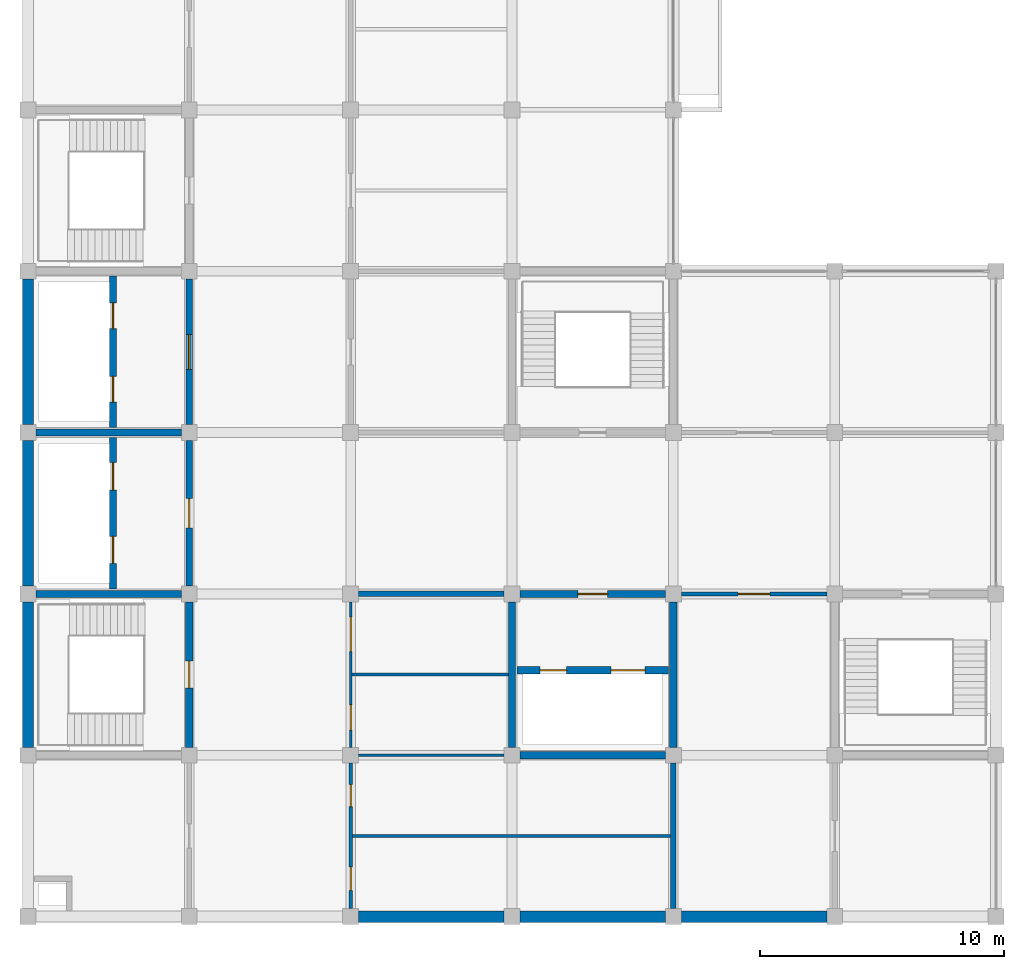
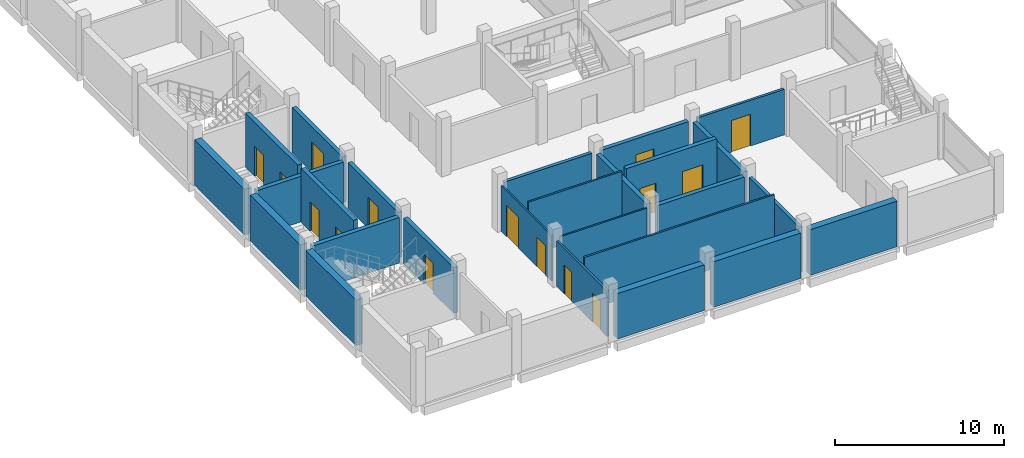
# One storey, part 7 of 11: 26 walls, 15 doors, 15 openings.
"""IFC4 building model written with IfcOpenShell, lengths in metres."""

from ifc_helpers import new_model, si_unit, direction, frame, frame_2d, origin, place, context, subcontext, project, spatial, rectangle, extrude, material, layer, layer_set, type_object, element, fill, save


model = new_model("IFC4")

# Units and contexts
model_context = context("Model", 3, precision=1e-05, world=origin(), true_north=direction((0.0, 1.0)))
body_context = subcontext(model_context, "Body", "Model", "MODEL_VIEW")
ifc_project = project(units=[si_unit("LENGTHUNIT", "METRE"), si_unit("AREAUNIT", "SQUARE_METRE"), si_unit("VOLUMEUNIT", "CUBIC_METRE"), si_unit("PLANEANGLEUNIT", "RADIAN"), si_unit("MASSUNIT", "GRAM", prefix="KILO")], contexts=[model_context])

# Site, building, storey
site_placement = place(None, origin())
site = spatial("IfcSite", under=ifc_project, at=site_placement, CompositionType="ELEMENT")
building_placement = place(site_placement, origin())
building = spatial("IfcBuilding", under=site, at=building_placement, Name="Rusizi Kubbe Research Institute", CompositionType="ELEMENT")
storey_placement = place(building_placement, frame((0.0, 0.0, 56.39990234375)))
storey = spatial("IfcBuildingStorey", under=building, at=storey_placement, Name="L13", CompositionType="ELEMENT", Elevation=56.39990234375)

# Wall
ifc_material_1 = material(Name="Concrete C40/50", Category="concrete")
ifc_layer_1 = layer(ifc_material_1, 0.294921875)
ifc_layer_set_1 = layer_set([ifc_layer_1], Name="Concrete C40/50")
wall_type_1 = type_object("IfcWallType", Name="CRW-03", PredefinedType="SHEAR", material=ifc_layer_set_1)
wall_1_placement = place(storey_placement, frame((0.324951171875, 13.199951171875, 0.0), z_axis=(0.0, 0.0, 1.0), x_axis=(1.0, 0.0, 0.0)))
element("IfcWall", 1, at=wall_1_placement, inside=storey, type_object=wall_type_1, Name="Stair Core Shear Wall ST1 L13 N", PredefinedType="SHEAR", context=body_context, shape_type="SweptSolid", body=[
    extrude(rectangle(XDim=5.949951171875, YDim=0.294921875, at=frame_2d((2.97509765625, 0.0))), origin(), (0.0, 0.0, 1.0), 3.300048828125),
])

# Wall, opening, door
wall_2_placement = place(storey_placement, frame((6.60009765625, 6.925048828125, 0.0), z_axis=(0.0, 0.0, 1.0), x_axis=(0.0, 1.0, 0.0)))
wall_2 = element("IfcWall", 2, at=wall_2_placement, inside=storey, type_object=wall_type_1, Name="Stair Core Shear Wall ST1 L13 E", PredefinedType="SHEAR", context=body_context, shape_type="SweptSolid", body=[
    extrude(rectangle(XDim=5.949951171875, YDim=0.294921875, at=frame_2d((2.97509765625, 0.0))), origin(), (0.0, 0.0, 1.0), 3.300048828125),
])
opening_1_placement = place(wall_2_placement, frame((2.425048828125, 0.0, 0.0)))
opening_1 = element("IfcOpeningElement", 3, at=opening_1_placement, cuts=wall_2, Name="Opening D-01", PredefinedType="OPENING", context=body_context, shape_type="SweptSolid", body=[
    extrude(rectangle(XDim=1.10009765625, YDim=2.14990234375, at=frame_2d((0.550048828125, 1.074951171875))), frame((0.0, 0.157470703125, 0.0), z_axis=(0.0, -1.0, 0.0), x_axis=(1.0, 0.0, 0.0)), (0.0, 0.0, 1.0), 0.31494140625),
])
ifc_material_2 = material(Name="Fire-Rated Steel Frame and Acoustic Timber Leaf", Category="wood")
door_type_1 = type_object("IfcDoorType", Name="ID-STAIR-110", OperationType="NOTDEFINED", PredefinedType="DOOR", material=ifc_material_2)
door_1_placement = place(opening_1_placement, origin())
door_1 = element("IfcDoor", 4, at=door_1_placement, inside=storey, type_object=door_type_1, Name="Exit Stair Door ST1 L13", OperationType="SINGLE_SWING_LEFT", OverallHeight=2.14990234375, OverallWidth=1.10009765625, PredefinedType="DOOR", context=body_context, shape_type="SweptSolid", body=[
    extrude(rectangle(XDim=1.10009765625, YDim=2.14990234375, at=frame_2d((0.550048828125, 1.074951171875))), frame((0.0, 0.02490234375, 0.0), z_axis=(0.0, -1.0, 0.0), x_axis=(1.0, 0.0, 0.0)), (0.0, 0.0, 1.0), 0.050048828125),
])
fill(opening_1, door_1)

# Walls
for number, where, z_axis, x_axis, name in (
    (5, (0.324951171875, 19.800048828125, 0.0), (0.0, 0.0, 1.0), (1.0, 0.0, 0.0), "Lift Core Divider Wall (0,2-3) L13"),
    (6, (20.125, 6.60009765625, 0.0), (0.0, 0.0, 1.0), (1.0, 0.0, 0.0), "Lab Lift Core Wall S (3,1) L13"),
    (7, (19.800048828125, 6.925048828125, 0.0), (0.0, 0.0, 1.0), (0.0, 1.0, 0.0), "Lab Lift Core Wall W (3,1) L13"),
    (8, (26.39990234375, 6.925048828125, 0.0), (0.0, 0.0, 1.0), (0.0, 1.0, 0.0), "Lab Lift Core Wall E (3,1) L13"),
):
    element("IfcWall", number, at=place(storey_placement, frame(where, z_axis=z_axis, x_axis=x_axis)), inside=storey, type_object=wall_type_1, Name=name, PredefinedType="SHEAR", context=body_context, shape_type="SweptSolid", body=[
        extrude(rectangle(XDim=5.949951171875, YDim=0.294921875, at=frame_2d((2.97509765625, 0.0))), origin(), (0.0, 0.0, 1.0), 3.300048828125),
    ])

# Wall, openings, doors
wall_3_placement = place(storey_placement, frame((3.47998046875, 13.39990234375, 0.0), z_axis=(0.0, 0.0, 1.0), x_axis=(0.0, 1.0, 0.0)))
wall_3 = element("IfcWall", 9, at=wall_3_placement, inside=storey, type_object=wall_type_1, Name="Firefighting Lift Shaft Front Wall L13", PredefinedType="SHEAR", context=body_context, shape_type="SweptSolid", body=[
    extrude(rectangle(XDim=6.2001953125, YDim=0.294921875, at=frame_2d((3.10009765625, 0.0))), origin(), (0.0, 0.0, 1.0), 3.900146484375),
])
opening_2_placement = place(wall_3_placement, frame((1.050048828125, 0.0, 0.0)))
opening_2 = element("IfcOpeningElement", 10, at=opening_2_placement, cuts=wall_3, Name="Opening LD-01", PredefinedType="OPENING", context=body_context, shape_type="SweptSolid", body=[
    extrude(rectangle(XDim=1.10009765625, YDim=2.14990234375, at=frame_2d((0.550048828125, 1.074951171875))), frame((0.0, 0.157470703125, 0.0), z_axis=(0.0, -1.0, 0.0), x_axis=(1.0, 0.0, 0.0)), (0.0, 0.0, 1.0), 0.31494140625),
])
opening_3_placement = place(wall_3_placement, frame((4.050048828125, 0.0, 0.0)))
opening_3 = element("IfcOpeningElement", 11, at=opening_3_placement, cuts=wall_3, Name="Opening LD-02", PredefinedType="OPENING", context=body_context, shape_type="SweptSolid", body=[
    extrude(rectangle(XDim=1.1201171875, YDim=2.14990234375, at=frame_2d((0.56005859375, 1.074951171875))), frame((0.0, 0.157470703125, 0.0), z_axis=(0.0, -1.0, 0.0), x_axis=(1.0, 0.0, 0.0)), (0.0, 0.0, 1.0), 0.31494140625),
])
ifc_material_3 = material(Name="Brushed Stainless Steel Sliding Door", Category="steel")
door_type_2 = type_object("IfcDoorType", Name="LD-01", OperationType="DOUBLE_DOOR_SLIDING", PredefinedType="USERDEFINED", material=ifc_material_3)
door_2_placement = place(opening_2_placement, origin())
door_2 = element("IfcDoor", 12, at=door_2_placement, inside=storey, type_object=door_type_2, Name="Lift Landing Sliding Door FL1 L13", ObjectType="SLIDING DOOR", OperationType="DOUBLE_DOOR_SLIDING", OverallHeight=2.14990234375, OverallWidth=1.10009765625, PredefinedType="USERDEFINED", context=body_context, shape_type="SweptSolid", body=[
    extrude(rectangle(XDim=1.10009765625, YDim=2.14990234375, at=frame_2d((0.550048828125, 1.074951171875))), frame((0.0, 0.02490234375, 0.0), z_axis=(0.0, -1.0, 0.0), x_axis=(1.0, 0.0, 0.0)), (0.0, 0.0, 1.0), 0.050048828125),
])
fill(opening_2, door_2)
ifc_material_4 = material(Name="Brushed Stainless Steel Sliding Door", Category="steel")
door_type_3 = type_object("IfcDoorType", Name="LD-02", OperationType="DOUBLE_DOOR_SLIDING", PredefinedType="USERDEFINED", material=ifc_material_4)
door_3_placement = place(opening_3_placement, origin())
door_3 = element("IfcDoor", 13, at=door_3_placement, inside=storey, type_object=door_type_3, Name="Lift Landing Sliding Door FL2 L13", ObjectType="SLIDING DOOR", OperationType="DOUBLE_DOOR_SLIDING", OverallHeight=2.14990234375, OverallWidth=1.1201171875, PredefinedType="USERDEFINED", context=body_context, shape_type="SweptSolid", body=[
    extrude(rectangle(XDim=1.1201171875, YDim=2.14990234375, at=frame_2d((0.56005859375, 1.074951171875))), frame((0.0, 0.02490234375, 0.0), z_axis=(0.0, -1.0, 0.0), x_axis=(1.0, 0.0, 0.0)), (0.0, 0.0, 1.0), 0.050048828125),
])
fill(opening_3, door_3)

wall_4_placement = place(storey_placement, frame((3.47998046875, 20.0, 0.0), z_axis=(0.0, 0.0, 1.0), x_axis=(0.0, 1.0, 0.0)))
wall_4 = element("IfcWall", 14, at=wall_4_placement, inside=storey, type_object=wall_type_1, Name="Passenger Lift Shaft Front Wall L13", PredefinedType="SHEAR", context=body_context, shape_type="SweptSolid", body=[
    extrude(rectangle(XDim=6.199951171875, YDim=0.294921875, at=frame_2d((3.10009765625, 0.0))), origin(), (0.0, 0.0, 1.0), 3.900146484375),
])
opening_4_placement = place(wall_4_placement, frame((1.050048828125, 0.0, 0.0)))
opening_4 = element("IfcOpeningElement", 15, at=opening_4_placement, cuts=wall_4, Name="Opening LD-03", PredefinedType="OPENING", context=body_context, shape_type="SweptSolid", body=[
    extrude(rectangle(XDim=1.050048828125, YDim=2.14990234375, at=frame_2d((0.52490234375, 1.074951171875))), frame((0.0, 0.157470703125, 0.0), z_axis=(0.0, -1.0, 0.0), x_axis=(1.0, 0.0, 0.0)), (0.0, 0.0, 1.0), 0.31494140625),
])
opening_5_placement = place(wall_4_placement, frame((4.050048828125, 0.0, 0.0)))
opening_5 = element("IfcOpeningElement", 16, at=opening_5_placement, cuts=wall_4, Name="Opening LD-04", PredefinedType="OPENING", context=body_context, shape_type="SweptSolid", body=[
    extrude(rectangle(XDim=1.06005859375, YDim=2.14990234375, at=frame_2d((0.530029296875, 1.074951171875))), frame((0.0, 0.157470703125, 0.0), z_axis=(0.0, -1.0, 0.0), x_axis=(1.0, 0.0, 0.0)), (0.0, 0.0, 1.0), 0.31494140625),
])
ifc_material_5 = material(Name="Brushed Stainless Steel Sliding Door", Category="steel")
door_type_4 = type_object("IfcDoorType", Name="LD-03", OperationType="DOUBLE_DOOR_SLIDING", PredefinedType="USERDEFINED", material=ifc_material_5)
door_4_placement = place(opening_4_placement, origin())
door_4 = element("IfcDoor", 17, at=door_4_placement, inside=storey, type_object=door_type_4, Name="Lift Landing Sliding Door LP1 L13", ObjectType="SLIDING DOOR", OperationType="DOUBLE_DOOR_SLIDING", OverallHeight=2.14990234375, OverallWidth=1.050048828125, PredefinedType="USERDEFINED", context=body_context, shape_type="SweptSolid", body=[
    extrude(rectangle(XDim=1.050048828125, YDim=2.14990234375, at=frame_2d((0.52490234375, 1.074951171875))), frame((0.0, 0.02490234375, 0.0), z_axis=(0.0, -1.0, 0.0), x_axis=(1.0, 0.0, 0.0)), (0.0, 0.0, 1.0), 0.050048828125),
])
fill(opening_4, door_4)
ifc_material_6 = material(Name="Brushed Stainless Steel Sliding Door", Category="steel")
door_type_5 = type_object("IfcDoorType", Name="LD-04", OperationType="DOUBLE_DOOR_SLIDING", PredefinedType="USERDEFINED", material=ifc_material_6)
door_5_placement = place(opening_5_placement, origin())
door_5 = element("IfcDoor", 18, at=door_5_placement, inside=storey, type_object=door_type_5, Name="Lift Landing Sliding Door LP2 L13", ObjectType="SLIDING DOOR", OperationType="DOUBLE_DOOR_SLIDING", OverallHeight=2.14990234375, OverallWidth=1.06005859375, PredefinedType="USERDEFINED", context=body_context, shape_type="SweptSolid", body=[
    extrude(rectangle(XDim=1.06005859375, YDim=2.14990234375, at=frame_2d((0.530029296875, 1.074951171875))), frame((0.0, 0.02490234375, 0.0), z_axis=(0.0, -1.0, 0.0), x_axis=(1.0, 0.0, 0.0)), (0.0, 0.0, 1.0), 0.050048828125),
])
fill(opening_5, door_5)

wall_5_placement = place(storey_placement, frame((20.0, 10.080078125, 0.0), z_axis=(0.0, 0.0, 1.0), x_axis=(1.0, 0.0, 0.0)))
wall_5 = element("IfcWall", 19, at=wall_5_placement, inside=storey, type_object=wall_type_1, Name="Goods Lift Shaft Front Wall L13", PredefinedType="SHEAR", context=body_context, shape_type="SweptSolid", body=[
    extrude(rectangle(XDim=6.199951171875, YDim=0.294921875, at=frame_2d((3.10009765625, 0.0))), origin(), (0.0, 0.0, 1.0), 3.900146484375),
])
opening_6_placement = place(wall_5_placement, frame((0.949951171875, 0.0, 0.0)))
opening_6 = element("IfcOpeningElement", 20, at=opening_6_placement, cuts=wall_5, Name="Opening LD-05", PredefinedType="OPENING", context=body_context, shape_type="SweptSolid", body=[
    extrude(rectangle(XDim=1.080078125, YDim=2.14990234375, at=frame_2d((0.5400390625, 1.074951171875))), frame((0.0, 0.157470703125, 0.0), z_axis=(0.0, -1.0, 0.0), x_axis=(1.0, 0.0, 0.0)), (0.0, 0.0, 1.0), 0.31494140625),
])
opening_7_placement = place(wall_5_placement, frame((3.85009765625, 0.0, 0.0)))
opening_7 = element("IfcOpeningElement", 21, at=opening_7_placement, cuts=wall_5, Name="Opening LD-06", PredefinedType="OPENING", context=body_context, shape_type="SweptSolid", body=[
    extrude(rectangle(XDim=1.39990234375, YDim=2.35009765625, at=frame_2d((0.699951171875, 1.175048828125))), frame((0.0, 0.157470703125, 0.0), z_axis=(0.0, -1.0, 0.0), x_axis=(1.0, 0.0, 0.0)), (0.0, 0.0, 1.0), 0.31494140625),
])
ifc_material_7 = material(Name="Brushed Stainless Steel Sliding Door", Category="steel")
door_type_6 = type_object("IfcDoorType", Name="LD-05", OperationType="DOUBLE_DOOR_SLIDING", PredefinedType="USERDEFINED", material=ifc_material_7)
door_6_placement = place(opening_6_placement, origin())
door_6 = element("IfcDoor", 22, at=door_6_placement, inside=storey, type_object=door_type_6, Name="Lift Landing Sliding Door LP3 L13", ObjectType="SLIDING DOOR", OperationType="DOUBLE_DOOR_SLIDING", OverallHeight=2.14990234375, OverallWidth=1.080078125, PredefinedType="USERDEFINED", context=body_context, shape_type="SweptSolid", body=[
    extrude(rectangle(XDim=1.080078125, YDim=2.14990234375, at=frame_2d((0.5400390625, 1.074951171875))), frame((0.0, 0.02490234375, 0.0), z_axis=(0.0, -1.0, 0.0), x_axis=(1.0, 0.0, 0.0)), (0.0, 0.0, 1.0), 0.050048828125),
])
fill(opening_6, door_6)
ifc_material_8 = material(Name="Brushed Stainless Steel Sliding Door", Category="steel")
door_type_7 = type_object("IfcDoorType", Name="LD-06", OperationType="DOUBLE_DOOR_SLIDING", PredefinedType="USERDEFINED", material=ifc_material_8)
door_7_placement = place(opening_7_placement, origin())
door_7 = element("IfcDoor", 23, at=door_7_placement, inside=storey, type_object=door_type_7, Name="Lift Landing Sliding Door LG1 L13", ObjectType="SLIDING DOOR", OperationType="DOUBLE_DOOR_SLIDING", OverallHeight=2.35009765625, OverallWidth=1.39990234375, PredefinedType="USERDEFINED", context=body_context, shape_type="SweptSolid", body=[
    extrude(rectangle(XDim=1.39990234375, YDim=2.35009765625, at=frame_2d((0.699951171875, 1.175048828125))), frame((0.0, 0.02490234375, 0.0), z_axis=(0.0, -1.0, 0.0), x_axis=(1.0, 0.0, 0.0)), (0.0, 0.0, 1.0), 0.050048828125),
])
fill(opening_7, door_7)

# Walls
ifc_material_9 = material(Name="Concrete Blockwork Fire Partition", Category="masonry")
ifc_layer_2 = layer(ifc_material_9, 0.22509765625)
ifc_layer_set_2 = layer_set([ifc_layer_2], Name="Concrete Blockwork Fire Partition")
wall_type_2 = type_object("IfcWallType", Name="IW-01", PredefinedType="PARTITIONING", material=ifc_layer_set_2)
wall_6_placement = place(storey_placement, frame((26.39990234375, 0.324951171875, 0.0), z_axis=(0.0, 0.0, 1.0), x_axis=(0.0, 1.0, 0.0)))
element("IfcWall", 24, at=wall_6_placement, inside=storey, type_object=wall_type_2, Name="Sanitary Core East Enclosing Wall L13", PredefinedType="PARTITIONING", context=body_context, shape_type="SweptSolid", body=[
    extrude(rectangle(XDim=5.949951171875, YDim=0.22509765625, at=frame_2d((2.97509765625, 0.0))), origin(), (0.0, 0.0, 1.0), 3.300048828125),
])
wall_7_placement = place(storey_placement, frame((13.52490234375, 13.199951171875, 0.0), z_axis=(0.0, 0.0, 1.0), x_axis=(1.0, 0.0, 0.0)))
element("IfcWall", 25, at=wall_7_placement, inside=storey, type_object=wall_type_2, Name="Reagent Store North Corridor Wall L13", PredefinedType="PARTITIONING", context=body_context, shape_type="SweptSolid", body=[
    extrude(rectangle(XDim=5.9501953125, YDim=0.22509765625, at=frame_2d((2.97509765625, 0.0))), origin(), (0.0, 0.0, 1.0), 3.300048828125),
])

# Wall, opening, door
ifc_material_10 = material(Name="Acoustic Laboratory Partition", Category="masonry")
ifc_layer_3 = layer(ifc_material_10, 0.175048828125)
ifc_layer_set_3 = layer_set([ifc_layer_3], Name="Acoustic Laboratory Partition")
wall_type_3 = type_object("IfcWallType", Name="IW-03", PredefinedType="PARTITIONING", material=ifc_layer_set_3)
wall_8_placement = place(storey_placement, frame((26.72509765625, 13.199951171875, 0.0), z_axis=(0.0, 0.0, 1.0), x_axis=(1.0, 0.0, 0.0)))
wall_8 = element("IfcWall", 26, at=wall_8_placement, inside=storey, type_object=wall_type_3, Name="Interior Partition Wall L13 H4-2", PredefinedType="PARTITIONING", context=body_context, shape_type="SweptSolid", body=[
    extrude(rectangle(XDim=5.949951171875, YDim=0.175048828125, at=frame_2d((2.97509765625, 0.0))), origin(), (0.0, 0.0, 1.0), 3.300048828125),
])
opening_8_placement = place(wall_8_placement, frame((2.324951171875, 0.0, 0.0)))
opening_8 = element("IfcOpeningElement", 27, at=opening_8_placement, cuts=wall_8, Name="Opening D-14", PredefinedType="OPENING", context=body_context, shape_type="SweptSolid", body=[
    extrude(rectangle(XDim=1.300048828125, YDim=2.300048828125, at=frame_2d((0.64990234375, 1.14990234375))), frame((0.0, 0.097412109375, 0.0), z_axis=(0.0, -1.0, 0.0), x_axis=(1.0, 0.0, 0.0)), (0.0, 0.0, 1.0), 0.195068359375),
])
ifc_material_11 = material(Name="Fire-Rated Steel Frame and Acoustic Timber Leaf", Category="wood")
door_type_8 = type_object("IfcDoorType", Name="ID-LAB-130", OperationType="NOTDEFINED", PredefinedType="DOOR", material=ifc_material_11)
door_8_placement = place(opening_8_placement, origin())
door_8 = element("IfcDoor", 28, at=door_8_placement, inside=storey, type_object=door_type_8, Name="Door to Clean Room Process Suite (L13-EWS-01)", OperationType="SINGLE_SWING_RIGHT", OverallHeight=2.300048828125, OverallWidth=1.300048828125, PredefinedType="DOOR", context=body_context, shape_type="SweptSolid", body=[
    extrude(rectangle(XDim=1.300048828125, YDim=2.300048828125, at=frame_2d((0.64990234375, 1.14990234375))), frame((0.0, 0.02490234375, 0.0), z_axis=(0.0, -1.0, 0.0), x_axis=(1.0, 0.0, 0.0)), (0.0, 0.0, 1.0), 0.050048828125),
])
fill(opening_8, door_8)

# Wall, openings, doors
ifc_material_12 = material(Name="Write-up Glazed Acoustic Partition", Category="masonry")
ifc_layer_4 = layer(ifc_material_12, 0.139892578125)
ifc_layer_set_4 = layer_set([ifc_layer_4], Name="Write-up Glazed Acoustic Partition")
wall_type_4 = type_object("IfcWallType", Name="IW-05", PredefinedType="PARTITIONING", material=ifc_layer_set_4)
wall_9_placement = place(storey_placement, frame((13.199951171875, 0.324951171875, 0.0), z_axis=(0.0, 0.0, 1.0), x_axis=(0.0, 1.0, 0.0)))
wall_9 = element("IfcWall", 29, at=wall_9_placement, inside=storey, type_object=wall_type_4, Name="Sanitary Core West Corridor Wall L13", PredefinedType="PARTITIONING", context=body_context, shape_type="SweptSolid", body=[
    extrude(rectangle(XDim=5.949951171875, YDim=0.139892578125, at=frame_2d((2.97509765625, 0.0))), origin(), (0.0, 0.0, 1.0), 3.300048828125),
])
opening_9_placement = place(wall_9_placement, frame((0.75, 0.0, 0.0)))
opening_9 = element("IfcOpeningElement", 30, at=opening_9_placement, cuts=wall_9, Name="Opening D-06", PredefinedType="OPENING", context=body_context, shape_type="SweptSolid", body=[
    extrude(rectangle(XDim=0.949951171875, YDim=2.10009765625, at=frame_2d((0.47509765625, 1.050048828125))), frame((0.0, 0.079833984375, 0.0), z_axis=(0.0, -1.0, 0.0), x_axis=(1.0, 0.0, 0.0)), (0.0, 0.0, 1.0), 0.159912109375),
])
opening_10_placement = place(wall_9_placement, frame((4.175048828125, 0.0, 0.0)))
opening_10 = element("IfcOpeningElement", 31, at=opening_10_placement, cuts=wall_9, Name="Opening D-05", PredefinedType="OPENING", context=body_context, shape_type="SweptSolid", body=[
    extrude(rectangle(XDim=0.89990234375, YDim=2.10009765625, at=frame_2d((0.449951171875, 1.050048828125))), frame((0.0, 0.079833984375, 0.0), z_axis=(0.0, -1.0, 0.0), x_axis=(1.0, 0.0, 0.0)), (0.0, 0.0, 1.0), 0.159912109375),
])
ifc_material_13 = material(Name="Fire-Rated Steel Frame and Acoustic Timber Leaf", Category="wood")
door_type_9 = type_object("IfcDoorType", Name="ID-WC-900", OperationType="NOTDEFINED", PredefinedType="DOOR", material=ifc_material_13)
door_9_placement = place(opening_10_placement, origin())
door_9 = element("IfcDoor", 32, at=door_9_placement, inside=storey, type_object=door_type_9, Name="Door to Female Toilet Room (L13-WC-F)", OperationType="SINGLE_SWING_LEFT", OverallHeight=2.10009765625, OverallWidth=0.89990234375, PredefinedType="DOOR", context=body_context, shape_type="SweptSolid", body=[
    extrude(rectangle(XDim=0.89990234375, YDim=2.10009765625, at=frame_2d((0.449951171875, 1.050048828125))), frame((0.0, 0.02490234375, 0.0), z_axis=(0.0, -1.0, 0.0), x_axis=(1.0, 0.0, 0.0)), (0.0, 0.0, 1.0), 0.050048828125),
])
fill(opening_10, door_9)
ifc_material_14 = material(Name="Fire-Rated Steel Frame and Acoustic Timber Leaf", Category="wood")
door_type_10 = type_object("IfcDoorType", Name="ID-WC-950", OperationType="NOTDEFINED", PredefinedType="DOOR", material=ifc_material_14)
door_10_placement = place(opening_9_placement, origin())
door_10 = element("IfcDoor", 33, at=door_10_placement, inside=storey, type_object=door_type_10, Name="Door to Male Toilet Room (L13-WC-M)", OperationType="SINGLE_SWING_RIGHT", OverallHeight=2.10009765625, OverallWidth=0.949951171875, PredefinedType="DOOR", context=body_context, shape_type="SweptSolid", body=[
    extrude(rectangle(XDim=0.949951171875, YDim=2.10009765625, at=frame_2d((0.47509765625, 1.050048828125))), frame((0.0, 0.02490234375, 0.0), z_axis=(0.0, -1.0, 0.0), x_axis=(1.0, 0.0, 0.0)), (0.0, 0.0, 1.0), 0.050048828125),
])
fill(opening_9, door_10)

# Walls
ifc_material_15 = material(Name="Sanitary Wet-Wall Partition", Category="masonry")
ifc_layer_5 = layer(ifc_material_15, 0.125)
ifc_layer_set_5 = layer_set([ifc_layer_5], Name="Sanitary Wet-Wall Partition")
wall_type_5 = type_object("IfcWallType", Name="IW-06", PredefinedType="PARTITIONING", material=ifc_layer_set_5)
wall_10_placement = place(storey_placement, frame((13.27490234375, 3.300048828125, 0.0), z_axis=(0.0, 0.0, 1.0), x_axis=(1.0, 0.0, 0.0)))
element("IfcWall", 34, at=wall_10_placement, inside=storey, type_object=wall_type_5, Name="Sanitary Divider Wall L13-1", PredefinedType="PARTITIONING", context=body_context, shape_type="SweptSolid", body=[
    extrude(rectangle(XDim=13.007568359375, YDim=0.125, at=frame_2d((6.50390625, 0.0))), origin(), (0.0, 0.0, 1.0), 3.900146484375),
])
wall_11_placement = place(storey_placement, frame((13.260009765625, 9.89990234375, 0.0), z_axis=(0.0, 0.0, 1.0), x_axis=(1.0, 0.0, 0.0)))
element("IfcWall", 35, at=wall_11_placement, inside=storey, type_object=wall_type_5, Name="Sanitary Divider Wall L13-2", PredefinedType="PARTITIONING", context=body_context, shape_type="SweptSolid", body=[
    extrude(rectangle(XDim=6.387451171875, YDim=0.125, at=frame_2d((3.19384765625, 0.0))), origin(), (0.0, 0.0, 1.0), 3.900146484375),
])
ifc_material_16 = material(Name="Sub-Suite Fire Partition", Category="masonry")
ifc_layer_6 = layer(ifc_material_16, 0.110107421875)
ifc_layer_set_6 = layer_set([ifc_layer_6], Name="Sub-Suite Fire Partition")
wall_type_6 = type_object("IfcWallType", Name="IW-07", PredefinedType="PARTITIONING", material=ifc_layer_set_6)
wall_12_placement = place(storey_placement, frame((13.52490234375, 6.60009765625, 0.0), z_axis=(0.0, 0.0, 1.0), x_axis=(1.0, 0.0, 0.0)))
element("IfcWall", 36, at=wall_12_placement, inside=storey, type_object=wall_type_6, Name="Sanitary Core North Divider Wall L13", PredefinedType="PARTITIONING", context=body_context, shape_type="SweptSolid", body=[
    extrude(rectangle(XDim=5.9501953125, YDim=0.110107421875, at=frame_2d((2.97509765625, 0.0))), origin(), (0.0, 0.0, 1.0), 3.300048828125),
])

# Wall, openings, doors
wall_13_placement = place(storey_placement, frame((13.199951171875, 6.925048828125, 0.0), z_axis=(0.0, 0.0, 1.0), x_axis=(0.0, 1.0, 0.0)))
wall_13 = element("IfcWall", 37, at=wall_13_placement, inside=storey, type_object=wall_type_6, Name="Accessible WC and Store West Wall L13", PredefinedType="PARTITIONING", context=body_context, shape_type="SweptSolid", body=[
    extrude(rectangle(XDim=5.949951171875, YDim=0.110107421875, at=frame_2d((2.97509765625, 0.0))), origin(), (0.0, 0.0, 1.0), 3.300048828125),
])
opening_11_placement = place(wall_13_placement, frame((0.715087890625, 0.0, 0.0)))
opening_11 = element("IfcOpeningElement", 38, at=opening_11_placement, cuts=wall_13, Name="Opening D-07", PredefinedType="OPENING", context=body_context, shape_type="SweptSolid", body=[
    extrude(rectangle(XDim=1.02001953125, YDim=2.14990234375, at=frame_2d((0.510009765625, 1.074951171875))), frame((0.0, 0.06494140625, 0.0), z_axis=(0.0, -1.0, 0.0), x_axis=(1.0, 0.0, 0.0)), (0.0, 0.0, 1.0), 0.130126953125),
])
opening_12_placement = place(wall_13_placement, frame((3.925048828125, 0.0, 0.0)))
opening_12 = element("IfcOpeningElement", 39, at=opening_12_placement, cuts=wall_13, Name="Opening D-12", PredefinedType="OPENING", context=body_context, shape_type="SweptSolid", body=[
    extrude(rectangle(XDim=1.39990234375, YDim=2.25, at=frame_2d((0.699951171875, 1.125))), frame((0.0, 0.06494140625, 0.0), z_axis=(0.0, -1.0, 0.0), x_axis=(1.0, 0.0, 0.0)), (0.0, 0.0, 1.0), 0.130126953125),
])
ifc_material_17 = material(Name="Fire-Rated Steel Frame and Acoustic Timber Leaf", Category="wood")
door_type_11 = type_object("IfcDoorType", Name="ID-LAB-140", OperationType="NOTDEFINED", PredefinedType="DOOR", material=ifc_material_17)
door_11_placement = place(opening_12_placement, origin())
door_11 = element("IfcDoor", 40, at=door_11_placement, inside=storey, type_object=door_type_11, Name="Door to Laboratory Reagent Store (L13-STR-01)", OperationType="SINGLE_SWING_RIGHT", OverallHeight=2.25, OverallWidth=1.39990234375, PredefinedType="DOOR", context=body_context, shape_type="SweptSolid", body=[
    extrude(rectangle(XDim=1.39990234375, YDim=2.25, at=frame_2d((0.699951171875, 1.125))), frame((0.0, 0.02490234375, 0.0), z_axis=(0.0, -1.0, 0.0), x_axis=(1.0, 0.0, 0.0)), (0.0, 0.0, 1.0), 0.050048828125),
])
fill(opening_12, door_11)
ifc_material_18 = material(Name="Fire-Rated Steel Frame and Acoustic Timber Leaf", Category="wood")
door_type_12 = type_object("IfcDoorType", Name="ID-WC-ACC", OperationType="NOTDEFINED", PredefinedType="DOOR", material=ifc_material_18)
door_12_placement = place(opening_11_placement, origin())
door_12 = element("IfcDoor", 41, at=door_12_placement, inside=storey, type_object=door_type_12, Name="Door to Accessible Toilet Room (L13-WC-ACC)", OperationType="SINGLE_SWING_LEFT", OverallHeight=2.14990234375, OverallWidth=1.02001953125, PredefinedType="DOOR", context=body_context, shape_type="SweptSolid", body=[
    extrude(rectangle(XDim=1.02001953125, YDim=2.14990234375, at=frame_2d((0.510009765625, 1.074951171875))), frame((0.0, 0.02490234375, 0.0), z_axis=(0.0, -1.0, 0.0), x_axis=(1.0, 0.0, 0.0)), (0.0, 0.0, 1.0), 0.050048828125),
])
fill(opening_11, door_12)

# Walls
ifc_material_19 = material(Name="Concrete C40/50", Category="concrete")
ifc_layer_7 = layer(ifc_material_19, 0.4599609375)
ifc_layer_set_7 = layer_set([ifc_layer_7], Name="Concrete C40/50")
wall_type_7 = type_object("IfcWallType", Name="PW-02", PredefinedType="SOLIDWALL", material=ifc_layer_set_7)
wall_14_placement = place(storey_placement, frame((0.0, 6.925048828125, 0.0), z_axis=(0.0, 0.0, 1.0), x_axis=(0.0, 1.0, 0.0)))
element("IfcWall", 42, at=wall_14_placement, inside=storey, type_object=wall_type_7, Name="Blind Party Wall L13 V0-1", PredefinedType="SOLIDWALL", context=body_context, shape_type="SweptSolid", body=[
    extrude(rectangle(XDim=5.949951171875, YDim=0.4599609375, at=frame_2d((2.97509765625, 0.0))), origin(), (0.0, 0.0, 1.0), 3.300048828125),
])
wall_15_placement = place(storey_placement, frame((0.0, 13.52490234375, 0.0), z_axis=(0.0, 0.0, 1.0), x_axis=(0.0, 1.0, 0.0)))
element("IfcWall", 43, at=wall_15_placement, inside=storey, type_object=wall_type_7, Name="Blind Party Wall L13 V0-2", PredefinedType="SOLIDWALL", context=body_context, shape_type="SweptSolid", body=[
    extrude(rectangle(XDim=5.9501953125, YDim=0.4599609375, at=frame_2d((2.97509765625, 0.0))), origin(), (0.0, 0.0, 1.0), 3.300048828125),
])
wall_16_placement = place(storey_placement, frame((0.0, 20.125, 0.0), z_axis=(0.0, 0.0, 1.0), x_axis=(0.0, 1.0, 0.0)))
element("IfcWall", 44, at=wall_16_placement, inside=storey, type_object=wall_type_7, Name="Blind Party Wall L13 V0-3", PredefinedType="SOLIDWALL", context=body_context, shape_type="SweptSolid", body=[
    extrude(rectangle(XDim=5.949951171875, YDim=0.4599609375, at=frame_2d((2.97509765625, 0.0))), origin(), (0.0, 0.0, 1.0), 3.300048828125),
])
wall_17_placement = place(storey_placement, frame((13.52490234375, 0.0, 0.0), z_axis=(0.0, 0.0, 1.0), x_axis=(1.0, 0.0, 0.0)))
element("IfcWall", 45, at=wall_17_placement, inside=storey, type_object=wall_type_7, Name="Blind Party Wall L13 H2-0", PredefinedType="SOLIDWALL", context=body_context, shape_type="SweptSolid", body=[
    extrude(rectangle(XDim=5.9501953125, YDim=0.4599609375, at=frame_2d((2.97509765625, 0.0))), origin(), (0.0, 0.0, 1.0), 3.300048828125),
])
for number, where, z_axis, x_axis, name in (
    (46, (20.125, 0.0, 0.0), (0.0, 0.0, 1.0), (1.0, 0.0, 0.0), "Blind Party Wall L13 H3-0"),
    (47, (26.72509765625, 0.0, 0.0), (0.0, 0.0, 1.0), (1.0, 0.0, 0.0), "Blind Party Wall L13 H4-0"),
):
    element("IfcWall", number, at=place(storey_placement, frame(where, z_axis=z_axis, x_axis=x_axis)), inside=storey, type_object=wall_type_7, Name=name, PredefinedType="SOLIDWALL", context=body_context, shape_type="SweptSolid", body=[
        extrude(rectangle(XDim=5.949951171875, YDim=0.4599609375, at=frame_2d((2.97509765625, 0.0))), origin(), (0.0, 0.0, 1.0), 3.300048828125),
    ])

# Wall, opening, door
ifc_material_20 = material(Name="Concrete C40/50", Category="concrete")
ifc_layer_8 = layer(ifc_material_20, 0.27490234375)
ifc_layer_set_8 = layer_set([ifc_layer_8], Name="Concrete C40/50")
wall_type_8 = type_object("IfcWallType", Name="SHW-01", PredefinedType="SHEAR", material=ifc_layer_set_8)
wall_18_placement = place(storey_placement, frame((6.60009765625, 13.52490234375, 0.0), z_axis=(0.0, 0.0, 1.0), x_axis=(0.0, 1.0, 0.0)))
wall_18 = element("IfcWall", 48, at=wall_18_placement, inside=storey, type_object=wall_type_8, Name="Firefighting Lobby Wall L13", PredefinedType="SHEAR", context=body_context, shape_type="SweptSolid", body=[
    extrude(rectangle(XDim=5.9501953125, YDim=0.27490234375, at=frame_2d((2.97509765625, 0.0))), origin(), (0.0, 0.0, 1.0), 3.300048828125),
])
opening_13_placement = place(wall_18_placement, frame((2.375, 0.0, 0.0)))
opening_13 = element("IfcOpeningElement", 49, at=opening_13_placement, cuts=wall_18, Name="Opening D-03", PredefinedType="OPENING", context=body_context, shape_type="SweptSolid", body=[
    extrude(rectangle(XDim=1.199951171875, YDim=2.25, at=frame_2d((0.60009765625, 1.125))), frame((0.0, 0.1474609375, 0.0), z_axis=(0.0, -1.0, 0.0), x_axis=(1.0, 0.0, 0.0)), (0.0, 0.0, 1.0), 0.294921875),
])
ifc_material_21 = material(Name="Fire-Rated Steel Frame and Acoustic Timber Leaf", Category="wood")
door_type_13 = type_object("IfcDoorType", Name="ID-FF-120", OperationType="NOTDEFINED", PredefinedType="DOOR", material=ifc_material_21)
door_13_placement = place(opening_13_placement, origin())
door_13 = element("IfcDoor", 50, at=door_13_placement, inside=storey, type_object=door_type_13, Name="Door to Firefighting Lift Lobby (L13-FFL-01)", OperationType="SINGLE_SWING_LEFT", OverallHeight=2.25, OverallWidth=1.199951171875, PredefinedType="DOOR", context=body_context, shape_type="SweptSolid", body=[
    extrude(rectangle(XDim=1.199951171875, YDim=2.25, at=frame_2d((0.60009765625, 1.125))), frame((0.0, 0.02490234375, 0.0), z_axis=(0.0, -1.0, 0.0), x_axis=(1.0, 0.0, 0.0)), (0.0, 0.0, 1.0), 0.050048828125),
])
fill(opening_13, door_13)

wall_19_placement = place(storey_placement, frame((6.60009765625, 20.125, 0.0), z_axis=(0.0, 0.0, 1.0), x_axis=(0.0, 1.0, 0.0)))
wall_19 = element("IfcWall", 51, at=wall_19_placement, inside=storey, type_object=wall_type_8, Name="Passenger Lift Lobby Wall L13", PredefinedType="SHEAR", context=body_context, shape_type="SweptSolid", body=[
    extrude(rectangle(XDim=5.949951171875, YDim=0.27490234375, at=frame_2d((2.97509765625, 0.0))), origin(), (0.0, 0.0, 1.0), 3.300048828125),
])
opening_14_placement = place(wall_19_placement, frame((2.264892578125, 0.0, 0.0)))
opening_14 = element("IfcOpeningElement", 52, at=opening_14_placement, cuts=wall_19, Name="Opening D-22", PredefinedType="OPENING", context=body_context, shape_type="SweptSolid", body=[
    extrude(rectangle(XDim=1.419921875, YDim=2.199951171875, at=frame_2d((0.7099609375, 1.10009765625))), frame((0.0, 0.1474609375, 0.0), z_axis=(0.0, -1.0, 0.0), x_axis=(1.0, 0.0, 0.0)), (0.0, 0.0, 1.0), 0.294921875),
])
ifc_material_22 = material(Name="Fire-Rated Steel Frame and Acoustic Timber Leaf", Category="wood")
door_type_14 = type_object("IfcDoorType", Name="ID-STR-142", OperationType="DOUBLE_DOOR_SINGLE_SWING", PredefinedType="DOOR", material=ifc_material_22)
door_14_placement = place(opening_14_placement, origin())
door_14 = element("IfcDoor", 53, at=door_14_placement, inside=storey, type_object=door_type_14, Name="Door to Passenger Lift Lobby (L13-LBY-01)", OperationType="DOUBLE_DOOR_SINGLE_SWING", OverallHeight=2.199951171875, OverallWidth=1.419921875, PredefinedType="DOOR", context=body_context, shape_type="SweptSolid", body=[
    extrude(rectangle(XDim=1.419921875, YDim=2.199951171875, at=frame_2d((0.7099609375, 1.10009765625))), frame((0.0, 0.02490234375, 0.0), z_axis=(0.0, -1.0, 0.0), x_axis=(1.0, 0.0, 0.0)), (0.0, 0.0, 1.0), 0.050048828125),
])
fill(opening_14, door_14)

wall_20_placement = place(storey_placement, frame((20.125, 13.199951171875, 0.0), z_axis=(0.0, 0.0, 1.0), x_axis=(1.0, 0.0, 0.0)))
wall_20 = element("IfcWall", 54, at=wall_20_placement, inside=storey, type_object=wall_type_8, Name="Goods Lift Lobby Wall L13", PredefinedType="SHEAR", context=body_context, shape_type="SweptSolid", body=[
    extrude(rectangle(XDim=5.949951171875, YDim=0.27490234375, at=frame_2d((2.97509765625, 0.0))), origin(), (0.0, 0.0, 1.0), 3.300048828125),
])
opening_15_placement = place(wall_20_placement, frame((2.364990234375, 0.0, 0.0)))
opening_15 = element("IfcOpeningElement", 55, at=opening_15_placement, cuts=wall_20, Name="Opening D-21", PredefinedType="OPENING", context=body_context, shape_type="SweptSolid", body=[
    extrude(rectangle(XDim=1.219970703125, YDim=2.14990234375, at=frame_2d((0.60986328125, 1.074951171875))), frame((0.0, 0.1474609375, 0.0), z_axis=(0.0, -1.0, 0.0), x_axis=(1.0, 0.0, 0.0)), (0.0, 0.0, 1.0), 0.294921875),
])
ifc_material_23 = material(Name="Fire-Rated Steel Frame and Acoustic Timber Leaf", Category="wood")
door_type_15 = type_object("IfcDoorType", Name="ID-STR-122", OperationType="NOTDEFINED", PredefinedType="DOOR", material=ifc_material_23)
door_15_placement = place(opening_15_placement, origin())
door_15 = element("IfcDoor", 56, at=door_15_placement, inside=storey, type_object=door_type_15, Name="Door to Laboratory Goods Lift Lobby (L13-GLB-01)", OperationType="SINGLE_SWING_RIGHT", OverallHeight=2.14990234375, OverallWidth=1.219970703125, PredefinedType="DOOR", context=body_context, shape_type="SweptSolid", body=[
    extrude(rectangle(XDim=1.219970703125, YDim=2.14990234375, at=frame_2d((0.60986328125, 1.074951171875))), frame((0.0, 0.02490234375, 0.0), z_axis=(0.0, -1.0, 0.0), x_axis=(1.0, 0.0, 0.0)), (0.0, 0.0, 1.0), 0.050048828125),
])
fill(opening_15, door_15)

save(model, "model.ifc")
